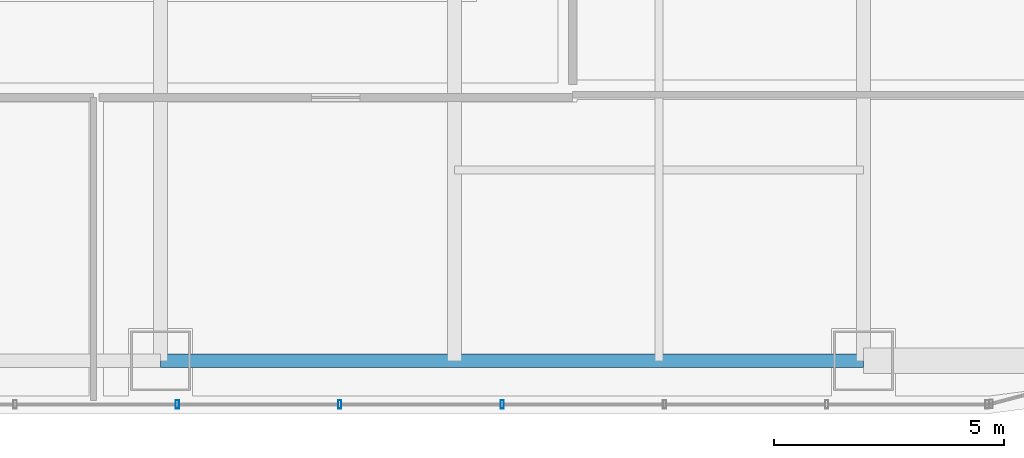
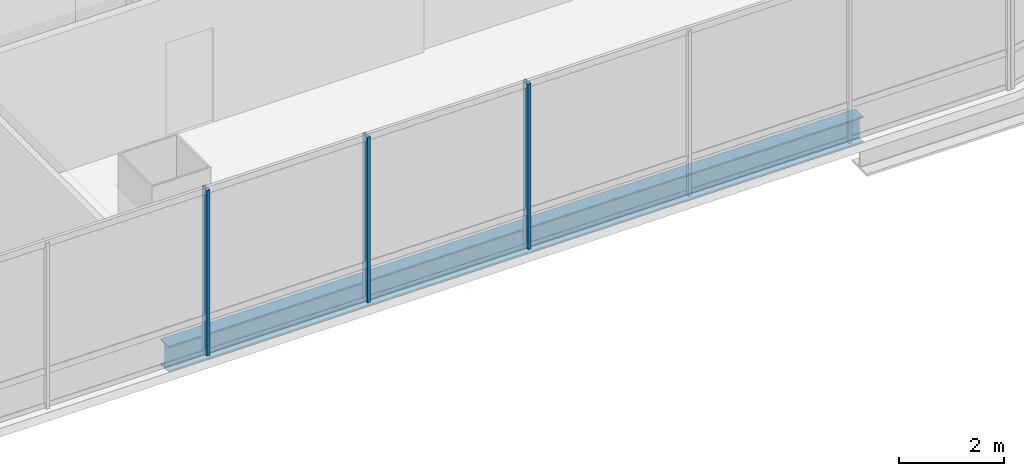
# One storey, part 8 of 39: 3 members, 1 beam, 1 element without a shape of its own.
"""IFC4 building model written with IfcOpenShell, lengths in metres."""

from ifc_helpers import new_model, si_unit, direction, frame, origin, origin_2d, place, context, subcontext, project, spatial, hollow_rectangle, i_section, extrude, material, material_profile, profile_set, type_object, element, aggregate, save


model = new_model("IFC4")

# Units and contexts
model_context = context("Model", 3, precision=1e-05, world=origin(), true_north=direction((0.0, 1.0)))
body_context = subcontext(model_context, "Body", "Model", "MODEL_VIEW")
ifc_project = project(units=[si_unit("LENGTHUNIT", "METRE"), si_unit("AREAUNIT", "SQUARE_METRE"), si_unit("VOLUMEUNIT", "CUBIC_METRE"), si_unit("PLANEANGLEUNIT", "RADIAN"), si_unit("MASSUNIT", "GRAM", prefix="KILO")], contexts=[model_context])

# Site, building, storey
site_placement = place(None, origin())
site = spatial("IfcSite", under=ifc_project, at=site_placement, CompositionType="ELEMENT")
building_placement = place(site_placement, origin())
building = spatial("IfcBuilding", under=site, at=building_placement, Name="Punatoya Terracotta Tower", CompositionType="ELEMENT")
storey_placement = place(building_placement, frame((0.0, 0.0, 275.699951171875)))
storey = spatial("IfcBuildingStorey", under=building, at=storey_placement, Name="L65", CompositionType="ELEMENT", Elevation=275.699951171875)

# Beam
ifc_material_1 = material(Name="Steel S355", Category="steel")
ifc_material_profile_1 = material_profile(ifc_material_1, i_section(OverallWidth=0.300048828125, OverallDepth=0.60009765625, WebThickness=0.015380859375, FlangeThickness=0.030029296875, FilletRadius=0.01806640625, at=origin_2d()))
ifc_profile_set_1 = profile_set([ifc_material_profile_1], Name="Steel S355")
beam_type = type_object("IfcBeamType", Name="BM-PRI-600", PredefinedType="BEAM", material=ifc_profile_set_1)
beam_placement = place(storey_placement, frame((3.800048828125, -17.5, -0.5), z_axis=(1.0, 0.0, 0.0), x_axis=(0.0, 1.0, 0.0)))
element("IfcBeam", 1, at=beam_placement, inside=storey, type_object=beam_type, Name="BM-L65-RG-S3", PredefinedType="BEAM", context=body_context, shape_type="SweptSolid", body=[
    extrude(i_section(OverallWidth=0.300048828125, OverallDepth=0.60009765625, WebThickness=0.015380859375, FlangeThickness=0.030029296875, FilletRadius=0.01806640625, at=origin_2d()), origin(), (0.0, 0.0, 1.0), 15.300048828125),
])

# Curtain wall, members
ifc_material_2 = material(Name="Aluminium 6063-T6 + Double Low-E Glass", Category="aluminium")
curtain_wall_type = type_object("IfcCurtainWallType", Name="CW-M3", PredefinedType="NOTDEFINED", material=ifc_material_2)
curtain_wall_placement = place(storey_placement, origin())
curtain_wall = element("IfcCurtainWall", 2, at=curtain_wall_placement, inside=storey, type_object=curtain_wall_type, Name="L65 Curtain Wall CW-L65-S01-1", PredefinedType="NOTDEFINED")
ifc_material_3 = material(Name="Aluminium 6063-T6", Category="aluminium")
ifc_material_profile_2 = material_profile(ifc_material_3, hollow_rectangle(XDim=0.070068359375, YDim=0.179931640625, WallThickness=0.00390625, at=origin_2d()))
ifc_profile_set_2 = profile_set([ifc_material_profile_2], Name="Aluminium 6063-T6")
member_type = type_object("IfcMemberType", Name="CW-MUL-M3", PredefinedType="MULLION", material=ifc_profile_set_2)
member_1_placement = place(storey_placement, frame((4.1669921875, -18.449951171875, 0.0), z_axis=(0.0, 0.0, 1.0), x_axis=(1.0, 0.0, 0.0)))
member_1 = element("IfcMember", 3, at=member_1_placement, type_object=member_type, Name="CW-L65-S01-1 Mullion 06", PredefinedType="MULLION", context=body_context, shape_type="SweptSolid", body=[
    extrude(hollow_rectangle(XDim=0.070068359375, YDim=0.179931640625, WallThickness=0.00390625, at=origin_2d()), origin(), (0.0, 0.0, 1.0), 3.85009765625),
])
member_2_placement = place(storey_placement, frame((7.700927734375, -18.449951171875, 0.0), z_axis=(0.0, 0.0, 1.0), x_axis=(1.0, 0.0, 0.0)))
member_2 = element("IfcMember", 4, at=member_2_placement, type_object=member_type, Name="CW-L65-S01-1 Mullion 07", PredefinedType="MULLION", context=body_context, shape_type="SweptSolid", body=[
    extrude(hollow_rectangle(XDim=0.070068359375, YDim=0.179931640625, WallThickness=0.00390625, at=origin_2d()), origin(), (0.0, 0.0, 1.0), 3.85009765625),
])
member_3_placement = place(storey_placement, frame((11.235107421875, -18.449951171875, 0.0), z_axis=(0.0, 0.0, 1.0), x_axis=(1.0, 0.0, 0.0)))
member_3 = element("IfcMember", 5, at=member_3_placement, type_object=member_type, Name="CW-L65-S01-1 Mullion 08", PredefinedType="MULLION", context=body_context, shape_type="SweptSolid", body=[
    extrude(hollow_rectangle(XDim=0.070068359375, YDim=0.179931640625, WallThickness=0.00390625, at=origin_2d()), origin(), (0.0, 0.0, 1.0), 3.85009765625),
])
aggregate(curtain_wall, [member_1, member_2, member_3])

save(model, "model.ifc")
